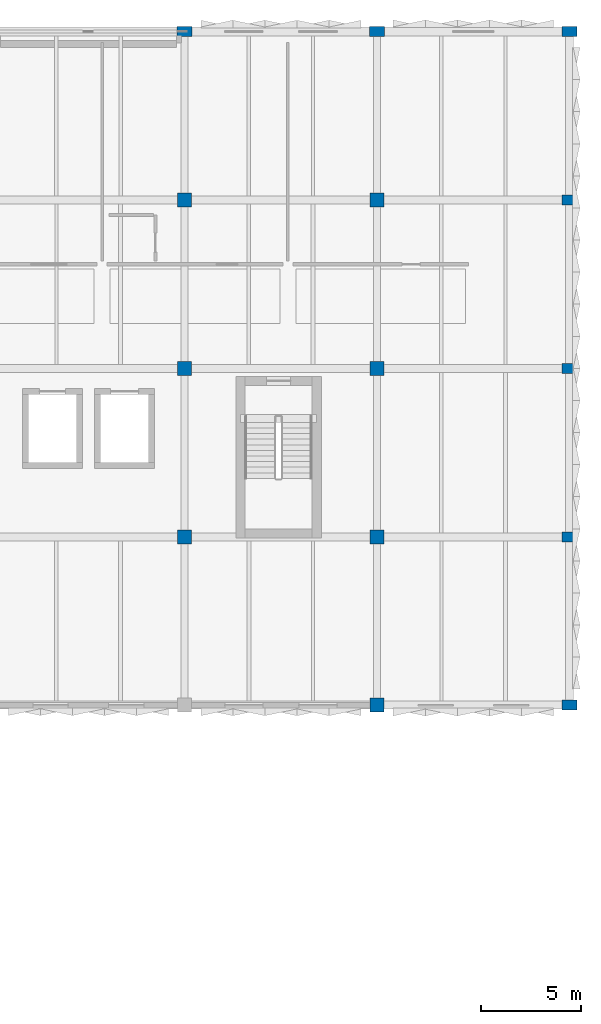
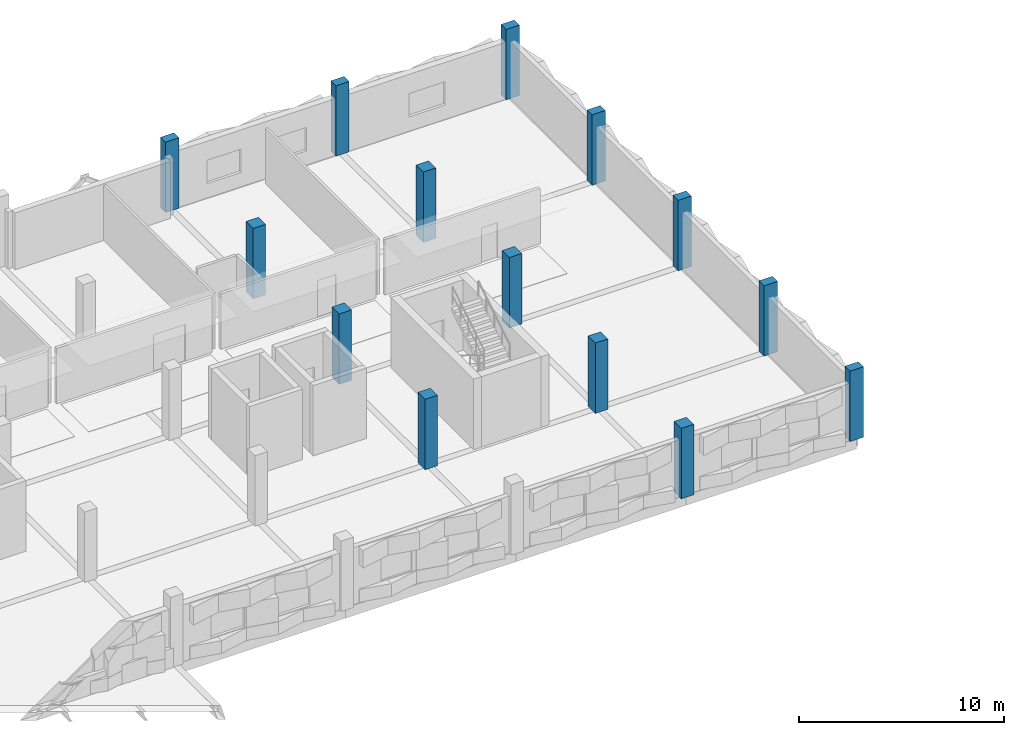
# One storey, part 2 of 24: 14 columns.
"""IFC4 building model written with IfcOpenShell, lengths in metres."""

import ifcopenshell
import ifcopenshell.guid

model = None  # the IFC model being written
_history = None  # IfcOwnerHistory: only IFC2X3 demands one
_inside = {}  # id of a spatial element -> (the spatial element, [elements in it])
_under = {}  # id of a project, library or spatial element -> (it, [spatial elements below it])
_declared = {}  # id of a project -> (the project, [libraries it declares])
_typed = {}  # id of a type object -> (the type object, [elements of that type])
_made_of = {}  # id of a material, layer set ... -> (it, [elements and type objects made of it])


def new_model(schema):
    """Start an empty IFC model of exactly this schema.

    Asked for "IFC4X3", IfcOpenShell would pick the latest addendum, in which some entities
    have other attributes; the version numbers below select the first issue.
    IFC2X3 requires an IfcOwnerHistory on every rooted entity: one is made here for all.
    """
    global model, _history
    if schema == "IFC4X3":
        model = ifcopenshell.file(schema_version=(4, 3, 0, 0))
    else:
        model = ifcopenshell.file(schema=schema)
    _inside.clear()
    _under.clear()
    _declared.clear()
    _typed.clear()
    _made_of.clear()
    _history = None
    if model.schema == "IFC2X3":
        org = make("IfcOrganization", Name="unknown")
        user = make(
            "IfcPersonAndOrganization",
            ThePerson=make("IfcPerson", FamilyName="unknown"),
            TheOrganization=org,
        )
        app = make(
            "IfcApplication",
            ApplicationDeveloper=org,
            Version="unknown",
            ApplicationFullName="unknown",
            ApplicationIdentifier="unknown",
        )
        _history = make(
            "IfcOwnerHistory",
            OwningUser=user,
            OwningApplication=app,
            ChangeAction="ADDED",
            CreationDate=0,
        )
    return model


def make(cls, **values):
    """One entity of the class cls with the attributes given. An attribute that is None is left unset."""
    return model.create_entity(
        cls, **{name: value for name, value in values.items() if value is not None}
    )


def rooted(cls, **values):
    """An entity with a GlobalId (a new one), such as an element, a storey or a relation."""
    return make(cls, GlobalId=ifcopenshell.guid.new(), OwnerHistory=_history, **values)


def si_unit(unit_type, name, prefix=None):
    """IfcSIUnit, for example si_unit("LENGTHUNIT", "METRE", prefix="MILLI")."""
    return make("IfcSIUnit", UnitType=unit_type, Prefix=prefix, Name=name)


def assignment(units):
    """IfcUnitAssignment: the units of a project."""
    return None if units is None else make("IfcUnitAssignment", Units=units)


def point(xyz):
    """IfcCartesianPoint."""
    return None if xyz is None else make("IfcCartesianPoint", Coordinates=xyz)


def direction(xyz):
    """IfcDirection."""
    return None if xyz is None else make("IfcDirection", DirectionRatios=xyz)


def frame(location, z_axis=None, x_axis=None):
    """IfcAxis2Placement3D, a coordinate frame: its origin and axes. An axis left out is left unset."""
    return make(
        "IfcAxis2Placement3D",
        Location=point(location),
        Axis=direction(z_axis),
        RefDirection=direction(x_axis),
    )


def frame_2d(location, x_axis=None):
    """IfcAxis2Placement2D, a coordinate frame in the plane: its origin and x axis."""
    return make(
        "IfcAxis2Placement2D", Location=point(location), RefDirection=direction(x_axis)
    )


def origin():
    """The frame at (0, 0, 0) with its axes left unset."""
    return frame((0.0, 0.0, 0.0))


def origin_2d():
    """The frame at (0, 0) in the plane with its x axis left unset."""
    return frame_2d((0.0, 0.0))


def place(relative_to, where):
    """IfcLocalPlacement: puts the frame where relative to a parent placement (None: the world)."""
    return make(
        "IfcLocalPlacement", PlacementRelTo=relative_to, RelativePlacement=where
    )


def context(
    kind, dimensions, precision=None, world=None, true_north=None, identifier=None
):
    """IfcGeometricRepresentationContext, for example the 3D "Model" context."""
    return make(
        "IfcGeometricRepresentationContext",
        ContextIdentifier=identifier,
        ContextType=kind,
        CoordinateSpaceDimension=dimensions,
        Precision=precision,
        WorldCoordinateSystem=world,
        TrueNorth=true_north,
    )


def subcontext(parent, identifier, kind, view, scale=None):
    """IfcGeometricRepresentationSubContext, for example "Body" below "Model"."""
    return make(
        "IfcGeometricRepresentationSubContext",
        ContextIdentifier=identifier,
        ContextType=kind,
        ParentContext=parent,
        TargetScale=scale,
        TargetView=view,
    )


def project(units=None, contexts=None):
    """IfcProject with its units and contexts."""
    return rooted(
        "IfcProject",
        Name="project",
        RepresentationContexts=contexts,
        UnitsInContext=assignment(units),
    )


def spatial(cls, under=None, at=None, **own):
    """A site, building, storey or space (cls), placed at a placement, below another one or the project."""
    s = rooted(cls, ObjectPlacement=at, **own)
    if under is not None:
        _under.setdefault(under.id(), (under, []))[1].append(s)
    return s


def profile(cls, at=None, kind="AREA", **sizes):
    """A parametric profile (cls). Its sizes go by their IFC names, for example OverallWidth=200.0."""
    return make(cls, ProfileType=kind, Position=at, **sizes)


def rectangle(**sizes):
    """IfcRectangleProfileDef."""
    return profile("IfcRectangleProfileDef", **sizes)


def extrude(swept, where, along, depth):
    """IfcExtrudedAreaSolid: the profile swept, set in the frame where, extruded along a direction by depth."""
    return make(
        "IfcExtrudedAreaSolid",
        SweptArea=swept,
        Position=where,
        ExtrudedDirection=direction(along),
        Depth=depth,
    )


def shape(context_of_items, identifier, shape_type, items):
    """IfcShapeRepresentation: the items that make up one representation, for example the "Body"."""
    return make(
        "IfcShapeRepresentation",
        ContextOfItems=context_of_items,
        RepresentationIdentifier=identifier,
        RepresentationType=shape_type,
        Items=items,
    )


def material(Name=None, Category=None):
    """IfcMaterial."""
    return make("IfcMaterial", Name=Name, Category=Category)


def material_profile(
    of_material, cross_section, Name=None, Category=None, Priority=None
):
    """IfcMaterialProfile: a cross section and its material."""
    return make(
        "IfcMaterialProfile",
        Name=Name,
        Material=of_material,
        Profile=cross_section,
        Priority=Priority,
        Category=Category,
    )


def profile_set(profiles, Name=None, composite=None):
    """IfcMaterialProfileSet."""
    return make(
        "IfcMaterialProfileSet",
        Name=Name,
        MaterialProfiles=profiles,
        CompositeProfile=composite,
    )


def made_of(thing, what):
    """Note that an element or type object is made of a material, layer set ...; save() writes the relation."""
    if what is not None:
        _made_of.setdefault(what.id(), (what, []))[1].append(thing)
    return thing


def type_object(cls, material=None, **own):
    """A type object (cls), such as IfcWallType, which elements share."""
    return made_of(rooted(cls, **own), material)


def element(
    cls,
    number,
    at=None,
    inside=None,
    cuts=None,
    type_object=None,
    material=None,
    context=None,
    identifier="Body",
    shape_type=None,
    held_by="IfcProductDefinitionShape",
    body=None,
    shapes=None,
    **own,
):
    """One element of the class cls, such as IfcWall. Its Tag is "e" and its number.

    at: its placement. inside: the storey or other place that contains it. cuts: it is an
    opening in that element (IfcRelVoidsElement). A single representation is given by context,
    identifier, shape_type and body (its items); several are given by shapes. held_by: the class
    of the entity that holds the representations. save() writes the other relations.
    """
    e = rooted(cls, Tag="e%d" % number, ObjectPlacement=at, **own)
    if body is not None:
        shapes = [shape(context, identifier, shape_type, body)]
    if shapes is not None:
        e.Representation = make(held_by, Representations=shapes)
    if inside is not None:
        _inside.setdefault(inside.id(), (inside, []))[1].append(e)
    if cuts is not None:
        rooted(
            "IfcRelVoidsElement", RelatingBuildingElement=cuts, RelatedOpeningElement=e
        )
    if type_object is not None:
        _typed.setdefault(type_object.id(), (type_object, []))[1].append(e)
    return made_of(e, material)


def aggregate(whole, parts):
    """IfcRelAggregates: a whole, such as a stair, and the parts it consists of."""
    return rooted("IfcRelAggregates", RelatingObject=whole, RelatedObjects=parts)


def save(model, path):
    """Write the relations noted so far, then the file.

    IfcRelAggregates (storeys below a building ...), IfcRelContainedInSpatialStructure (elements
    in a storey), IfcRelDefinesByType, IfcRelAssociatesMaterial and IfcRelDeclares: one each for
    every whole, place, type object, material and project.
    """
    for whole, parts in _under.values():
        aggregate(whole, parts)
    for where, things in _inside.values():
        rooted(
            "IfcRelContainedInSpatialStructure",
            RelatedElements=things,
            RelatingStructure=where,
        )
    for kind, things in _typed.values():
        rooted("IfcRelDefinesByType", RelatedObjects=things, RelatingType=kind)
    for what, things in _made_of.values():
        rooted("IfcRelAssociatesMaterial", RelatedObjects=things, RelatingMaterial=what)
    for by, libraries in _declared.values():
        rooted("IfcRelDeclares", RelatingContext=by, RelatedDefinitions=libraries)
    model.write(path)


model = new_model("IFC4")

# Units and contexts
model_context = context("Model", 3, precision=1e-05, world=origin(), true_north=direction((0.0, 1.0)))
body_context = subcontext(model_context, "Body", "Model", "MODEL_VIEW")
ifc_project = project(units=[si_unit("LENGTHUNIT", "METRE"), si_unit("AREAUNIT", "SQUARE_METRE"), si_unit("VOLUMEUNIT", "CUBIC_METRE"), si_unit("PLANEANGLEUNIT", "RADIAN"), si_unit("MASSUNIT", "GRAM", prefix="KILO")], contexts=[model_context])

# Site, building, storey
site_placement = place(None, origin())
site = spatial("IfcSite", under=ifc_project, at=site_placement, CompositionType="ELEMENT")
building_placement = place(site_placement, origin())
building = spatial("IfcBuilding", under=site, at=building_placement, Name="Oolite Switchyard Hospital", CompositionType="ELEMENT")
storey_placement = place(building_placement, frame((0.0, 0.0, 22.0)))
storey = spatial("IfcBuildingStorey", under=building, at=storey_placement, Name="L05", CompositionType="ELEMENT", Elevation=22.0)

# Columns
ifc_material = material(Name="Concrete C50/60", Category="concrete")
ifc_material_profile_1 = material_profile(ifc_material, rectangle(XDim=0.699951171875, YDim=0.699951171875, at=origin_2d()), Name="RC700X700")
ifc_profile_set_1 = profile_set([ifc_material_profile_1], Name="Concrete C50/60")
column_type_1 = type_object("IfcColumnType", Name="COL-RC700", PredefinedType="COLUMN", material=ifc_profile_set_1)
for number, where, z_axis, x_axis, name in (
    (1, (192.0, 109.199951171875, 0.0), (0.0, 0.0, 1.0), (1.0, 0.0, 0.0), "L05 Column 1321"),
    (2, (192.0, 117.60009765625, 0.0), (0.0, 0.0, 1.0), (1.0, 0.0, 0.0), "L05 Column 1322"),
    (3, (192.0, 126.0, 0.0), (0.0, 0.0, 1.0), (1.0, 0.0, 0.0), "L05 Column 1323"),
    (4, (201.60009765625, 100.800048828125, 0.0), (0.0, 0.0, 1.0), (1.0, 0.0, 0.0), "L05 Column 1325"),
    (5, (201.60009765625, 109.199951171875, 0.0), (0.0, 0.0, 1.0), (1.0, 0.0, 0.0), "L05 Column 1326"),
    (6, (201.60009765625, 117.60009765625, 0.0), (0.0, 0.0, 1.0), (1.0, 0.0, 0.0), "L05 Column 1327"),
    (7, (201.60009765625, 126.0, 0.0), (0.0, 0.0, 1.0), (1.0, 0.0, 0.0), "L05 Column 1328"),
):
    element("IfcColumn", number, at=place(storey_placement, frame(where, z_axis=z_axis, x_axis=x_axis)), inside=storey, type_object=column_type_1, Name=name, PredefinedType="COLUMN", context=body_context, shape_type="SweptSolid", body=[
        extrude(rectangle(XDim=0.699951171875, YDim=0.699951171875, at=origin_2d()), origin(), (0.0, 0.0, 1.0), 4.199951171875),
    ])
ifc_material_profile_2 = material_profile(ifc_material, rectangle(XDim=0.75, YDim=0.5, at=origin_2d()), Name="RC750X500")
ifc_profile_set_2 = profile_set([ifc_material_profile_2], Name="Concrete C50/60")
column_type_2 = type_object("IfcColumnType", Name="COL-RCR750", PredefinedType="COLUMN", material=ifc_profile_set_2)
for number, where, z_axis, x_axis, name in (
    (8, (192.0, 134.39990234375, 0.0), (0.0, 0.0, 1.0), (1.0, 0.0, 0.0), "L05 Column 1324"),
    (9, (201.60009765625, 134.39990234375, 0.0), (0.0, 0.0, 1.0), (1.0, 0.0, 0.0), "L05 Column 1329"),
    (10, (211.199951171875, 100.800048828125, 0.0), (0.0, 0.0, 1.0), (1.0, 0.0, 0.0), "L05 Column 1330"),
    (11, (211.199951171875, 109.199951171875, 0.0), (0.0, 0.0, 1.0), (1.0, 0.0, 0.0), "L05 Column 1331"),
    (12, (211.199951171875, 117.60009765625, 0.0), (0.0, 0.0, 1.0), (1.0, 0.0, 0.0), "L05 Column 1332"),
    (13, (211.199951171875, 126.0, 0.0), (0.0, 0.0, 1.0), (1.0, 0.0, 0.0), "L05 Column 1333"),
    (14, (211.199951171875, 134.39990234375, 0.0), (0.0, 0.0, 1.0), (1.0, 0.0, 0.0), "L05 Column 1334"),
):
    element("IfcColumn", number, at=place(storey_placement, frame(where, z_axis=z_axis, x_axis=x_axis)), inside=storey, type_object=column_type_2, Name=name, PredefinedType="COLUMN", context=body_context, shape_type="SweptSolid", body=[
        extrude(rectangle(XDim=0.75, YDim=0.5, at=origin_2d()), origin(), (0.0, 0.0, 1.0), 4.199951171875),
    ])

save(model, "model.ifc")
